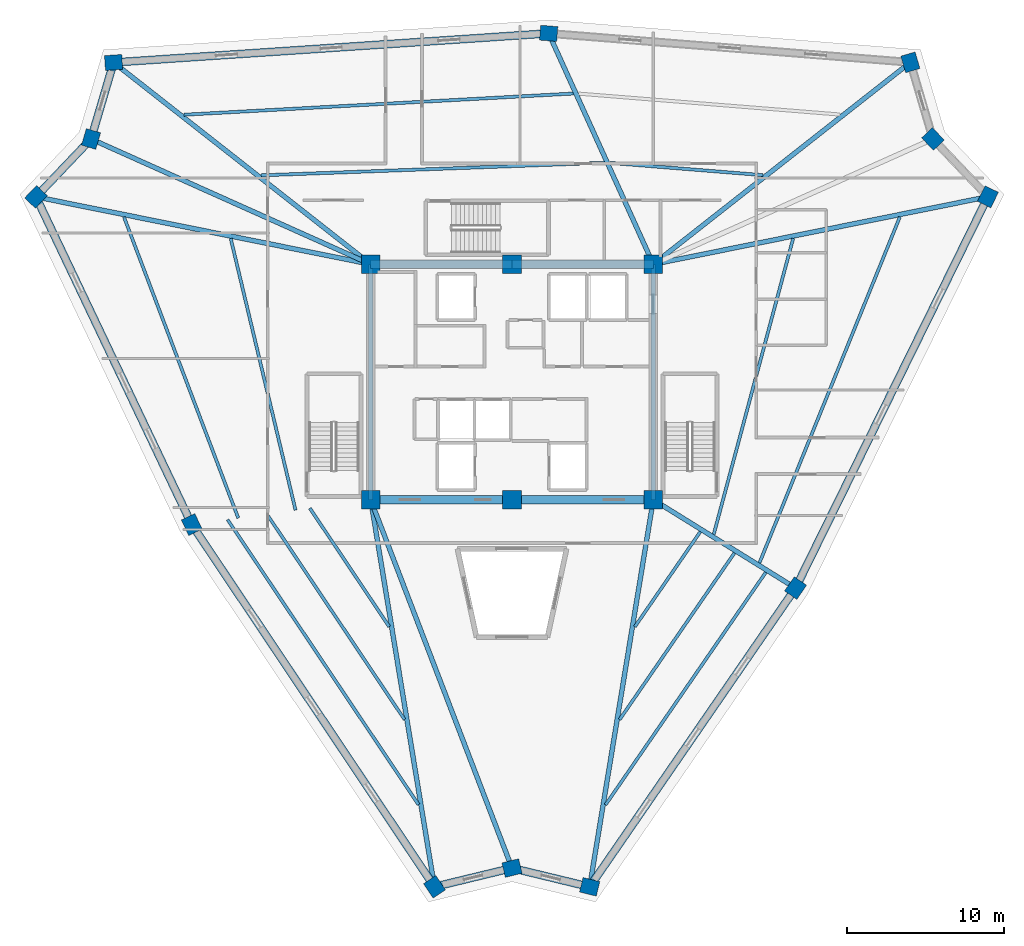
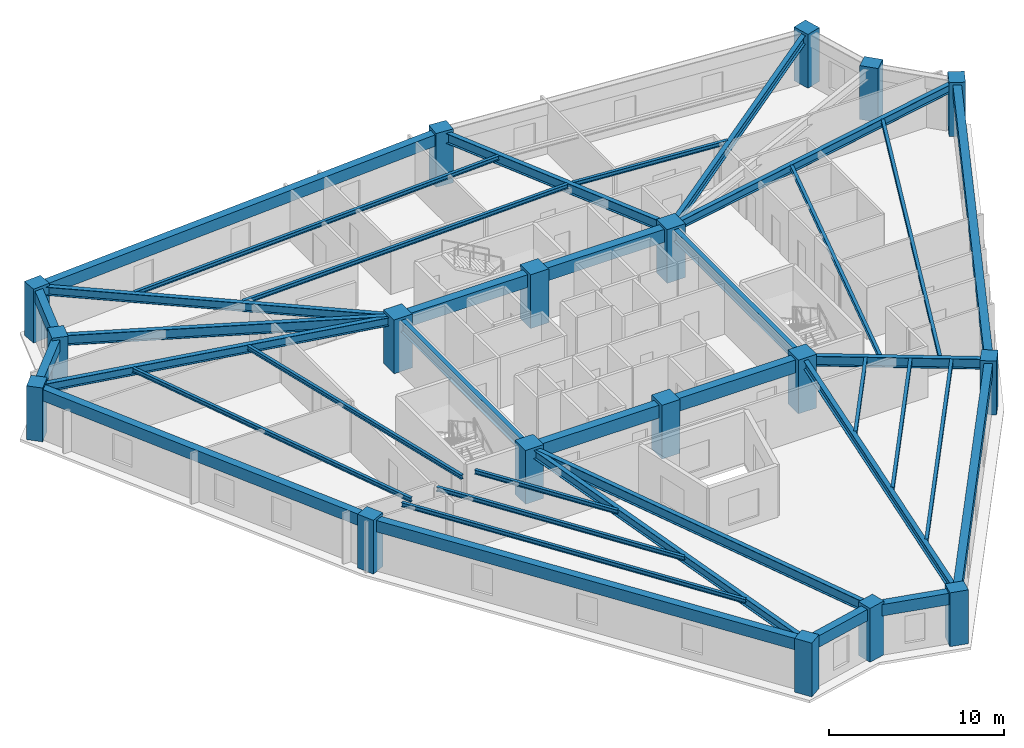
# One storey, part 1 of 8: 38 beams, 18 columns.
"""IFC4 building model written with IfcOpenShell, lengths in metres."""

from ifc_helpers import new_model, si_unit, direction, frame, origin, origin_2d, place, context, subcontext, project, spatial, rectangle, i_section, extrude, source, transform, mapped, material, material_profile, profile_set, type_object, element, save


model = new_model("IFC4")

# Units and contexts
model_context = context("Model", 3, precision=1e-05, world=origin(), true_north=direction((0.0, 1.0)))
body_context = subcontext(model_context, "Body", "Model", "MODEL_VIEW")
ifc_project = project(units=[si_unit("LENGTHUNIT", "METRE"), si_unit("AREAUNIT", "SQUARE_METRE"), si_unit("VOLUMEUNIT", "CUBIC_METRE"), si_unit("PLANEANGLEUNIT", "RADIAN"), si_unit("MASSUNIT", "GRAM", prefix="KILO")], contexts=[model_context])

# Site, building, storey
site_placement = place(None, origin())
site = spatial("IfcSite", under=ifc_project, at=site_placement, CompositionType="ELEMENT")
building_placement = place(site_placement, origin())
building = spatial("IfcBuilding", under=site, at=building_placement, Name="Liaohun Quay Tower", CompositionType="ELEMENT")
storey_placement = place(building_placement, frame((0.0, 0.0, 297.75)))
storey = spatial("IfcBuildingStorey", under=building, at=storey_placement, Name="L77", CompositionType="ELEMENT", Elevation=297.75)

# Columns
ifc_material_1 = material(Name="Concrete C50", Category="concrete")
ifc_material_profile_1 = material_profile(ifc_material_1, rectangle(XDim=1.199951171875, YDim=1.199951171875, at=origin_2d()), Name="RC1200x1200")
ifc_profile_set_1 = profile_set([ifc_material_profile_1], Name="Concrete C50")
column_type_1 = type_object("IfcColumnType", Name="COL-CC-Z4", PredefinedType="COLUMN", material=ifc_profile_set_1)
shared_shape_1 = source(origin(), body_context, "Body", "SweptSolid", [
    extrude(rectangle(XDim=1.199951171875, YDim=1.199951171875, at=origin_2d()), origin(), (0.0, 0.0, 1.0), 3.75),
])
for number, where, z_axis, x_axis, name in (
    (1, (51.0, 46.5, 0.0), (0.0, 0.0, 1.0), (1.0, 0.0, 0.0), "L77 Core Column CC1"),
    (2, (60.0, 46.5, 0.0), (0.0, 0.0, 1.0), (1.0, 0.0, 0.0), "L77 Core Column CC2"),
    (3, (69.0, 46.5, 0.0), (0.0, 0.0, 1.0), (1.0, 0.0, 0.0), "L77 Core Column CC3"),
    (4, (69.0, 61.5, 0.0), (0.0, 0.0, 1.0), (1.0, 0.0, 0.0), "L77 Core Column CC4"),
    (5, (60.0, 61.5, 0.0), (0.0, 0.0, 1.0), (1.0, 0.0, 0.0), "L77 Core Column CC5"),
    (6, (51.0, 61.5, 0.0), (0.0, 0.0, 1.0), (1.0, 0.0, 0.0), "L77 Core Column CC6"),
):
    element("IfcColumn", number, at=place(storey_placement, frame(where, z_axis=z_axis, x_axis=x_axis)), inside=storey, type_object=column_type_1, Name=name, PredefinedType="COLUMN", context=body_context, shape_type="MappedRepresentation", body=[
        mapped(shared_shape_1, transform((0.0, 0.0, 0.0), x_axis=(1.0, 0.0, 0.0), y_axis=(0.0, 1.0, 0.0), z_axis=(0.0, 0.0, 1.0), scale=1.0)),
    ])
ifc_material_profile_2 = material_profile(ifc_material_1, rectangle(XDim=1.10009765625, YDim=0.949951171875, at=origin_2d()), Name="RC1100x950")
ifc_profile_set_2 = profile_set([ifc_material_profile_2], Name="Concrete C50")
column_type_2 = type_object("IfcColumnType", Name="COL-PIER-Z4", PredefinedType="COLUMN", material=ifc_profile_set_2)
shared_shape_2 = source(origin(), body_context, "Body", "SweptSolid", [
    extrude(rectangle(XDim=1.10009765625, YDim=0.949951171875, at=origin_2d()), origin(), (0.0, 0.0, 1.0), 3.75),
])
for number, where, z_axis, x_axis, name in (
    (7, (55.06103515625, 21.846923828125, 0.0), (0.0, 0.0, 1.0), (-0.556585649903, 0.83079023485, 0.0), "L77 Perimeter Pier PC01"),
    (8, (39.60205078125, 44.9208984375, 0.0), (0.0, 0.0, 1.0), (-0.429250430767, 0.903185511225, 0.0), "L77 Perimeter Pier PC02"),
    (9, (29.679931640625, 65.79296875, 0.0), (0.0, 0.0, 1.0), (0.68936671806, 0.724412539946, 0.0), "L77 Perimeter Pier PC03"),
    (10, (33.18798828125, 69.47998046875, 0.0), (0.0, 0.0, 1.0), (0.282508884416, 0.959264682049, 0.0), "L77 Perimeter Pier PC04"),
    (11, (34.6240234375, 74.35302734375, 0.0), (0.0, 0.0, 1.0), (0.997778273548, 0.066622194773, 0.0), "L77 Perimeter Pier PC05"),
    (12, (62.3359375, 76.2060546875, 0.0), (0.0, 0.0, 1.0), (-0.996806812434, 0.079850977983, 0.0), "L77 Perimeter Pier PC06"),
    (13, (85.3740234375, 74.361083984375, 0.0), (0.0, 0.0, 1.0), (-0.282508884416, 0.959264682049, 0.0), "L77 Perimeter Pier PC07"),
    (14, (86.81201171875, 69.47998046875, 0.0), (0.0, 0.0, 1.0), (-0.68936671806, 0.724412539946, 0.0), "L77 Perimeter Pier PC08"),
    (15, (90.31396484375, 65.799072265625, 0.0), (0.0, 0.0, 1.0), (0.441192623644, 0.897412429623, 0.0), "L77 Perimeter Pier PC09"),
    (16, (78.06201171875, 40.8740234375, 0.0), (0.0, 0.0, 1.0), (0.567556381667, 0.823334533242, 0.0), "L77 Perimeter Pier PC10"),
    (17, (64.947021484375, 21.844970703125, 0.0), (0.0, 0.0, 1.0), (-0.972043021443, 0.234802820391, 0.0), "L77 Perimeter Pier PC11"),
    (18, (60.0, 23.0400390625, 0.0), (0.0, 0.0, 1.0), (0.972043021443, 0.234802820391, 0.0), "L77 Perimeter Pier PC12"),
):
    element("IfcColumn", number, at=place(storey_placement, frame(where, z_axis=z_axis, x_axis=x_axis)), inside=storey, type_object=column_type_2, Name=name, PredefinedType="COLUMN", context=body_context, shape_type="MappedRepresentation", body=[
        mapped(shared_shape_2, transform((0.0, 0.0, 0.0), x_axis=(1.0, 0.0, 0.0), y_axis=(0.0, 1.0, 0.0), z_axis=(0.0, 0.0, 1.0), scale=1.0)),
    ])

# Beams
ifc_material_2 = material(Name="Steel Q355D", Category="steel")
ifc_material_profile_3 = material_profile(ifc_material_2, i_section(OverallWidth=0.300048828125, OverallDepth=0.800048828125, WebThickness=0.013916015625, FlangeThickness=0.02587890625, at=origin_2d()), Name="HN800x300x14x26")
ifc_profile_set_3 = profile_set([ifc_material_profile_3], Name="Steel Q355D")
beam_type_1 = type_object("IfcBeamType", Name="BM-RAD-M1", PredefinedType="BEAM", material=ifc_profile_set_3)
shared_shape_3 = source(origin(), body_context, "Body", "SweptSolid", [
    extrude(i_section(OverallWidth=0.300048828125, OverallDepth=0.800048828125, WebThickness=0.013916015625, FlangeThickness=0.02587890625, at=origin_2d()), origin(), (0.0, 0.0, 1.0), 15.0),
])
for number, where, z_axis, x_axis, name in (
    (19, (69.0, 46.5, 3.169921875), (0.0, 1.0, 0.0), (-1.0, 0.0, 0.0), "L77 Core Coupling/Ring Beam CC3-CC4"),
    (20, (51.0, 61.5, 3.169921875), (0.0, -1.0, 0.0), (1.0, 0.0, 0.0), "L77 Core Coupling/Ring Beam CC6-CC1"),
):
    element("IfcBeam", number, at=place(storey_placement, frame(where, z_axis=z_axis, x_axis=x_axis)), inside=storey, type_object=beam_type_1, Name=name, PredefinedType="BEAM", context=body_context, shape_type="MappedRepresentation", body=[
        mapped(shared_shape_3, transform((0.0, 0.0, 0.0), x_axis=(1.0, 0.0, 0.0), y_axis=(0.0, 1.0, 0.0), z_axis=(0.0, 0.0, 1.0), scale=1.0)),
    ])
ifc_material_3 = material(Name="Concrete C55", Category="concrete")
ifc_material_profile_4 = material_profile(ifc_material_3, rectangle(XDim=0.550048828125, YDim=0.89990234375, at=origin_2d()), Name="RC550x900")
ifc_profile_set_4 = profile_set([ifc_material_profile_4], Name="Concrete C55")
beam_type_2 = type_object("IfcBeamType", Name="BM-CPL-2", PredefinedType="LINTEL", material=ifc_profile_set_4)
shared_shape_4 = source(origin(), body_context, "Body", "SweptSolid", [
    extrude(rectangle(XDim=0.550048828125, YDim=0.89990234375, at=origin_2d()), origin(), (0.0, 0.0, 1.0), 9.0),
])
for number, where, z_axis, x_axis, name in (
    (21, (51.0, 46.5, 3.1201171875), (1.0, 0.0, 0.0), (0.0, 1.0, 0.0), "L77 Core Coupling/Ring Beam CC1-CC2"),
    (22, (60.0, 46.5, 3.1201171875), (1.0, 0.0, 0.0), (0.0, 1.0, 0.0), "L77 Core Coupling/Ring Beam CC2-CC3"),
    (23, (69.0, 61.5, 3.1201171875), (-1.0, 0.0, 0.0), (0.0, -1.0, 0.0), "L77 Core Coupling/Ring Beam CC4-CC5"),
    (24, (60.0, 61.5, 3.1201171875), (-1.0, 0.0, 0.0), (0.0, -1.0, 0.0), "L77 Core Coupling/Ring Beam CC5-CC6"),
):
    element("IfcBeam", number, at=place(storey_placement, frame(where, z_axis=z_axis, x_axis=x_axis)), inside=storey, type_object=beam_type_2, Name=name, PredefinedType="LINTEL", context=body_context, shape_type="MappedRepresentation", body=[
        mapped(shared_shape_4, transform((0.0, 0.0, 0.0), x_axis=(1.0, 0.0, 0.0), y_axis=(0.0, 1.0, 0.0), z_axis=(0.0, 0.0, 1.0), scale=1.0)),
    ])
ifc_material_profile_5 = material_profile(ifc_material_2, i_section(OverallWidth=0.300048828125, OverallDepth=0.587890625, WebThickness=0.011962890625, FlangeThickness=0.02001953125, at=origin_2d()), Name="HM588x300x12x20")
ifc_profile_set_5 = profile_set([ifc_material_profile_5], Name="Steel Q355D")
beam_type_3 = type_object("IfcBeamType", Name="BM-RAD-U2", PredefinedType="BEAM", material=ifc_profile_set_5)
shared_shape_5 = source(origin(), body_context, "Body", "SweptSolid", [
    extrude(i_section(OverallWidth=0.300048828125, OverallDepth=0.587890625, WebThickness=0.011962890625, FlangeThickness=0.02001953125, at=origin_2d()), origin(), (0.0, 0.0, 1.0), 24.9853515625),
])
beam_1_placement = place(storey_placement, frame((51.0, 46.5, 3.27587890625), z_axis=(0.162536853645, -0.986702473498, 0.0), x_axis=(0.986702473498, 0.162536853645, 0.0)))
element("IfcBeam", 25, at=beam_1_placement, inside=storey, type_object=beam_type_3, Name="L77 Radial Primary Girder CC1-PC01", PredefinedType="BEAM", context=body_context, shape_type="MappedRepresentation", body=[
    mapped(shared_shape_5, transform((0.0, 0.0, 0.0), x_axis=(1.0, 0.0, 0.0), y_axis=(0.0, 1.0, 0.0), z_axis=(0.0, 0.0, 1.0), scale=1.0)),
])
shared_shape_6 = source(origin(), body_context, "Body", "SweptSolid", [
    extrude(i_section(OverallWidth=0.300048828125, OverallDepth=0.587890625, WebThickness=0.011962890625, FlangeThickness=0.02001953125, at=origin_2d()), origin(), (0.0, 0.0, 1.0), 21.748046875),
])
beam_2_placement = place(storey_placement, frame((51.0, 61.5, 3.27587890625), z_axis=(-0.98032380325, 0.197396151893, 0.0), x_axis=(-0.197396151893, -0.98032380325, 0.0)))
element("IfcBeam", 26, at=beam_2_placement, inside=storey, type_object=beam_type_3, Name="L77 Radial Primary Girder CC6-PC03", PredefinedType="BEAM", context=body_context, shape_type="MappedRepresentation", body=[
    mapped(shared_shape_6, transform((0.0, 0.0, 0.0), x_axis=(1.0, 0.0, 0.0), y_axis=(0.0, 1.0, 0.0), z_axis=(0.0, 0.0, 1.0), scale=1.0)),
])
ifc_material_profile_6 = material_profile(ifc_material_2, i_section(OverallWidth=0.300048828125, OverallDepth=0.699951171875, WebThickness=0.012939453125, FlangeThickness=0.02392578125, at=origin_2d()), Name="HN700x300x13x24")
ifc_profile_set_6 = profile_set([ifc_material_profile_6], Name="Steel Q355D")
beam_type_4 = type_object("IfcBeamType", Name="BM-RAD-U1", PredefinedType="BEAM", material=ifc_profile_set_6)
shared_shape_7 = source(origin(), body_context, "Body", "SweptSolid", [
    extrude(i_section(OverallWidth=0.300048828125, OverallDepth=0.699951171875, WebThickness=0.012939453125, FlangeThickness=0.02392578125, at=origin_2d()), origin(), (0.0, 0.0, 1.0), 19.517822265625),
])
beam_3_placement = place(storey_placement, frame((51.0, 61.5, 3.219970703125), z_axis=(-0.912599463054, 0.408854766432, 0.0), x_axis=(-0.408854766432, -0.912599463054, 0.0)))
element("IfcBeam", 27, at=beam_3_placement, inside=storey, type_object=beam_type_4, Name="L77 Radial Primary Girder CC6-PC04", PredefinedType="BEAM", context=body_context, shape_type="MappedRepresentation", body=[
    mapped(shared_shape_7, transform((0.0, 0.0, 0.0), x_axis=(1.0, 0.0, 0.0), y_axis=(0.0, 1.0, 0.0), z_axis=(0.0, 0.0, 1.0), scale=1.0)),
])
shared_shape_8 = source(origin(), body_context, "Body", "SweptSolid", [
    extrude(i_section(OverallWidth=0.300048828125, OverallDepth=0.587890625, WebThickness=0.011962890625, FlangeThickness=0.02001953125, at=origin_2d()), origin(), (0.0, 0.0, 1.0), 20.817626953125),
])
beam_4_placement = place(storey_placement, frame((51.0, 61.5, 3.27587890625), z_axis=(-0.786640537364, 0.61741126081, 0.0), x_axis=(-0.61741126081, -0.786640537364, 0.0)))
element("IfcBeam", 28, at=beam_4_placement, inside=storey, type_object=beam_type_3, Name="L77 Radial Primary Girder CC6-PC05", PredefinedType="BEAM", context=body_context, shape_type="MappedRepresentation", body=[
    mapped(shared_shape_8, transform((0.0, 0.0, 0.0), x_axis=(1.0, 0.0, 0.0), y_axis=(0.0, 1.0, 0.0), z_axis=(0.0, 0.0, 1.0), scale=1.0)),
])
shared_shape_9 = source(origin(), body_context, "Body", "SweptSolid", [
    extrude(i_section(OverallWidth=0.300048828125, OverallDepth=0.699951171875, WebThickness=0.012939453125, FlangeThickness=0.02392578125, at=origin_2d()), origin(), (0.0, 0.0, 1.0), 16.1455078125),
])
beam_5_placement = place(storey_placement, frame((69.0, 61.5, 3.219970703125), z_axis=(-0.412749979217, 0.910844363575, 0.0), x_axis=(-0.910844363575, -0.412749979217, 0.0)))
element("IfcBeam", 29, at=beam_5_placement, inside=storey, type_object=beam_type_4, Name="L77 Radial Primary Girder CC4-PC06", PredefinedType="BEAM", context=body_context, shape_type="MappedRepresentation", body=[
    mapped(shared_shape_9, transform((0.0, 0.0, 0.0), x_axis=(1.0, 0.0, 0.0), y_axis=(0.0, 1.0, 0.0), z_axis=(0.0, 0.0, 1.0), scale=1.0)),
])
shared_shape_10 = source(origin(), body_context, "Body", "SweptSolid", [
    extrude(i_section(OverallWidth=0.300048828125, OverallDepth=0.587890625, WebThickness=0.011962890625, FlangeThickness=0.02001953125, at=origin_2d()), origin(), (0.0, 0.0, 1.0), 20.821044921875),
])
beam_6_placement = place(storey_placement, frame((69.0, 61.5, 3.27587890625), z_axis=(0.786416794817, 0.617696223746, 0.0), x_axis=(-0.617696223746, 0.786416794817, 0.0)))
element("IfcBeam", 30, at=beam_6_placement, inside=storey, type_object=beam_type_3, Name="L77 Radial Primary Girder CC4-PC07", PredefinedType="BEAM", context=body_context, shape_type="MappedRepresentation", body=[
    mapped(shared_shape_10, transform((0.0, 0.0, 0.0), x_axis=(1.0, 0.0, 0.0), y_axis=(0.0, 1.0, 0.0), z_axis=(0.0, 0.0, 1.0), scale=1.0)),
])
shared_shape_11 = source(origin(), body_context, "Body", "SweptSolid", [
    extrude(i_section(OverallWidth=0.300048828125, OverallDepth=0.587890625, WebThickness=0.011962890625, FlangeThickness=0.02001953125, at=origin_2d()), origin(), (0.0, 0.0, 1.0), 21.7431640625),
])
beam_7_placement = place(storey_placement, frame((69.0, 61.5, 3.27587890625), z_axis=(0.980258491169, 0.197720232881, 0.0), x_axis=(-0.197720232881, 0.980258491169, 0.0)))
element("IfcBeam", 31, at=beam_7_placement, inside=storey, type_object=beam_type_3, Name="L77 Radial Primary Girder CC4-PC09", PredefinedType="BEAM", context=body_context, shape_type="MappedRepresentation", body=[
    mapped(shared_shape_11, transform((0.0, 0.0, 0.0), x_axis=(1.0, 0.0, 0.0), y_axis=(0.0, 1.0, 0.0), z_axis=(0.0, 0.0, 1.0), scale=1.0)),
])
shared_shape_12 = source(origin(), body_context, "Body", "SweptSolid", [
    extrude(i_section(OverallWidth=0.300048828125, OverallDepth=0.699951171875, WebThickness=0.012939453125, FlangeThickness=0.02392578125, at=origin_2d()), origin(), (0.0, 0.0, 1.0), 10.666259765625),
])
beam_8_placement = place(storey_placement, frame((69.0, 46.5, 3.219970703125), z_axis=(0.849586407491, -0.527449463178, 0.0), x_axis=(0.527449463178, 0.849586407491, 0.0)))
element("IfcBeam", 32, at=beam_8_placement, inside=storey, type_object=beam_type_4, Name="L77 Radial Primary Girder CC3-PC10", PredefinedType="BEAM", context=body_context, shape_type="MappedRepresentation", body=[
    mapped(shared_shape_12, transform((0.0, 0.0, 0.0), x_axis=(1.0, 0.0, 0.0), y_axis=(0.0, 1.0, 0.0), z_axis=(0.0, 0.0, 1.0), scale=1.0)),
])
shared_shape_13 = source(origin(), body_context, "Body", "SweptSolid", [
    extrude(i_section(OverallWidth=0.300048828125, OverallDepth=0.587890625, WebThickness=0.011962890625, FlangeThickness=0.02001953125, at=origin_2d()), origin(), (0.0, 0.0, 1.0), 24.98583984375),
])
beam_9_placement = place(storey_placement, frame((69.0, 46.5, 3.27587890625), z_axis=(-0.162210379845, -0.986756197179, 0.0), x_axis=(0.986756197179, -0.162210379845, 0.0)))
element("IfcBeam", 33, at=beam_9_placement, inside=storey, type_object=beam_type_3, Name="L77 Radial Primary Girder CC3-PC11", PredefinedType="BEAM", context=body_context, shape_type="MappedRepresentation", body=[
    mapped(shared_shape_13, transform((0.0, 0.0, 0.0), x_axis=(1.0, 0.0, 0.0), y_axis=(0.0, 1.0, 0.0), z_axis=(0.0, 0.0, 1.0), scale=1.0)),
])
shared_shape_14 = source(origin(), body_context, "Body", "SweptSolid", [
    extrude(i_section(OverallWidth=0.300048828125, OverallDepth=0.699951171875, WebThickness=0.012939453125, FlangeThickness=0.02392578125, at=origin_2d()), origin(), (0.0, 0.0, 1.0), 25.126953125),
])
beam_10_placement = place(storey_placement, frame((51.0, 46.5, 3.219970703125), z_axis=(0.358179411361, -0.933652777684, 0.0), x_axis=(0.933652777684, 0.358179411361, 0.0)))
element("IfcBeam", 34, at=beam_10_placement, inside=storey, type_object=beam_type_4, Name="L77 Radial Primary Girder CC1-PC12", PredefinedType="BEAM", context=body_context, shape_type="MappedRepresentation", body=[
    mapped(shared_shape_14, transform((0.0, 0.0, 0.0), x_axis=(1.0, 0.0, 0.0), y_axis=(0.0, 1.0, 0.0), z_axis=(0.0, 0.0, 1.0), scale=1.0)),
])
ifc_material_profile_7 = material_profile(ifc_material_2, i_section(OverallWidth=0.199951171875, OverallDepth=0.2939453125, WebThickness=0.008056640625, FlangeThickness=0.011962890625, at=origin_2d()), Name="HM294x200x8x12")
ifc_profile_set_7 = profile_set([ifc_material_profile_7], Name="Steel Q355D")
beam_type_5 = type_object("IfcBeamType", Name="BM-SEC-J4", PredefinedType="JOIST", material=ifc_profile_set_7)
shared_shape_15 = source(origin(), body_context, "Body", "SweptSolid", [
    extrude(i_section(OverallWidth=0.199951171875, OverallDepth=0.2939453125, WebThickness=0.008056640625, FlangeThickness=0.011962890625, at=origin_2d()), origin(), (0.0, 0.0, 1.0), 9.080322265625),
])
beam_11_placement = place(storey_placement, frame((52.178955078125, 38.4189453125, 3.423095703125), z_axis=(-0.556578771614, 0.8307948429, 0.0), x_axis=(-0.8307948429, -0.556578771614, 0.0)))
element("IfcBeam", 35, at=beam_11_placement, inside=storey, type_object=beam_type_5, Name="L77 Wing Secondary Floor Joist SJ-01", PredefinedType="JOIST", context=body_context, shape_type="MappedRepresentation", body=[
    mapped(shared_shape_15, transform((0.0, 0.0, 0.0), x_axis=(1.0, 0.0, 0.0), y_axis=(0.0, 1.0, 0.0), z_axis=(0.0, 0.0, 1.0), scale=1.0)),
])
shared_shape_16 = source(origin(), body_context, "Body", "SweptSolid", [
    extrude(i_section(OverallWidth=0.199951171875, OverallDepth=0.2939453125, WebThickness=0.008056640625, FlangeThickness=0.011962890625, at=origin_2d()), origin(), (0.0, 0.0, 1.0), 15.7470703125),
])
beam_12_placement = place(storey_placement, frame((53.154052734375, 32.501953125, 3.423095703125), z_axis=(-0.556623589585, 0.830764816008, 0.0), x_axis=(-0.830764816008, -0.556623589585, 0.0)))
element("IfcBeam", 36, at=beam_12_placement, inside=storey, type_object=beam_type_5, Name="L77 Wing Secondary Floor Joist SJ-02", PredefinedType="JOIST", context=body_context, shape_type="MappedRepresentation", body=[
    mapped(shared_shape_16, transform((0.0, 0.0, 0.0), x_axis=(1.0, 0.0, 0.0), y_axis=(0.0, 1.0, 0.0), z_axis=(0.0, 0.0, 1.0), scale=1.0)),
])
shared_shape_17 = source(origin(), body_context, "Body", "SweptSolid", [
    extrude(i_section(OverallWidth=0.199951171875, OverallDepth=0.2939453125, WebThickness=0.008056640625, FlangeThickness=0.011962890625, at=origin_2d()), origin(), (0.0, 0.0, 1.0), 21.857421875),
])
beam_13_placement = place(storey_placement, frame((54.047119140625, 27.077880859375, 3.423095703125), z_axis=(-0.556565004096, 0.83080406608, 0.0), x_axis=(-0.83080406608, -0.556565004096, 0.0)))
element("IfcBeam", 37, at=beam_13_placement, inside=storey, type_object=beam_type_5, Name="L77 Wing Secondary Floor Joist SJ-03", PredefinedType="JOIST", context=body_context, shape_type="MappedRepresentation", body=[
    mapped(shared_shape_17, transform((0.0, 0.0, 0.0), x_axis=(1.0, 0.0, 0.0), y_axis=(0.0, 1.0, 0.0), z_axis=(0.0, 0.0, 1.0), scale=1.0)),
])
shared_shape_18 = source(origin(), body_context, "Body", "SweptSolid", [
    extrude(i_section(OverallWidth=0.199951171875, OverallDepth=0.2939453125, WebThickness=0.008056640625, FlangeThickness=0.011962890625, at=origin_2d()), origin(), (0.0, 0.0, 1.0), 17.791015625),
])
beam_14_placement = place(storey_placement, frame((46.212890625, 45.8369140625, 3.423095703125), z_axis=(-0.232079360093, 0.97269685443, 0.0), x_axis=(-0.97269685443, -0.232079360093, 0.0)))
element("IfcBeam", 38, at=beam_14_placement, inside=storey, type_object=beam_type_5, Name="L77 Wing Secondary Floor Joist SJ-04", PredefinedType="JOIST", context=body_context, shape_type="MappedRepresentation", body=[
    mapped(shared_shape_18, transform((0.0, 0.0, 0.0), x_axis=(1.0, 0.0, 0.0), y_axis=(0.0, 1.0, 0.0), z_axis=(0.0, 0.0, 1.0), scale=1.0)),
])
shared_shape_19 = source(origin(), body_context, "Body", "SweptSolid", [
    extrude(i_section(OverallWidth=0.199951171875, OverallDepth=0.2939453125, WebThickness=0.008056640625, FlangeThickness=0.011962890625, at=origin_2d()), origin(), (0.0, 0.0, 1.0), 20.513916015625),
])
beam_15_placement = place(storey_placement, frame((42.56494140625, 45.33203125, 3.423095703125), z_axis=(-0.354836482651, 0.934928377246, 0.0), x_axis=(-0.934928377246, -0.354836482651, 0.0)))
element("IfcBeam", 39, at=beam_15_placement, inside=storey, type_object=beam_type_5, Name="L77 Wing Secondary Floor Joist SJ-05", PredefinedType="JOIST", context=body_context, shape_type="MappedRepresentation", body=[
    mapped(shared_shape_19, transform((0.0, 0.0, 0.0), x_axis=(1.0, 0.0, 0.0), y_axis=(0.0, 1.0, 0.0), z_axis=(0.0, 0.0, 1.0), scale=1.0)),
])
shared_shape_20 = source(origin(), body_context, "Body", "SweptSolid", [
    extrude(i_section(OverallWidth=0.199951171875, OverallDepth=0.2939453125, WebThickness=0.008056640625, FlangeThickness=0.011962890625, at=origin_2d()), origin(), (0.0, 0.0, 1.0), 21.8935546875),
])
beam_16_placement = place(storey_placement, frame((44.027099609375, 67.1640625, 3.423095703125), z_axis=(0.999330462326, 0.0365872528, 0.0), x_axis=(-0.0365872528, 0.999330462326, 0.0)))
element("IfcBeam", 40, at=beam_16_placement, inside=storey, type_object=beam_type_5, Name="L77 Wing Secondary Floor Joist SJ-06", PredefinedType="JOIST", context=body_context, shape_type="MappedRepresentation", body=[
    mapped(shared_shape_20, transform((0.0, 0.0, 0.0), x_axis=(1.0, 0.0, 0.0), y_axis=(0.0, 1.0, 0.0), z_axis=(0.0, 0.0, 1.0), scale=1.0)),
])
shared_shape_21 = source(origin(), body_context, "Body", "SweptSolid", [
    extrude(i_section(OverallWidth=0.199951171875, OverallDepth=0.2939453125, WebThickness=0.008056640625, FlangeThickness=0.011962890625, at=origin_2d()), origin(), (0.0, 0.0, 1.0), 24.835693359375),
])
beam_17_placement = place(storey_placement, frame((39.10888671875, 71.02392578125, 3.423095703125), z_axis=(0.998521349901, 0.054360958337, 0.0), x_axis=(-0.054360958337, 0.998521349901, 0.0)))
element("IfcBeam", 41, at=beam_17_placement, inside=storey, type_object=beam_type_5, Name="L77 Wing Secondary Floor Joist SJ-07", PredefinedType="JOIST", context=body_context, shape_type="MappedRepresentation", body=[
    mapped(shared_shape_21, transform((0.0, 0.0, 0.0), x_axis=(1.0, 0.0, 0.0), y_axis=(0.0, 1.0, 0.0), z_axis=(0.0, 0.0, 1.0), scale=1.0)),
])
shared_shape_22 = source(origin(), body_context, "Body", "SweptSolid", [
    extrude(i_section(OverallWidth=0.199951171875, OverallDepth=0.2939453125, WebThickness=0.008056640625, FlangeThickness=0.011962890625, at=origin_2d()), origin(), (0.0, 0.0, 1.0), 9.776123046875),
])
beam_18_placement = place(storey_placement, frame((66.239013671875, 67.95703125, 3.423095703125), z_axis=(0.996803754288, -0.079889144682, 0.0), x_axis=(0.079889144682, 0.996803754288, 0.0)))
element("IfcBeam", 42, at=beam_18_placement, inside=storey, type_object=beam_type_5, Name="L77 Wing Secondary Floor Joist SJ-08", PredefinedType="JOIST", context=body_context, shape_type="MappedRepresentation", body=[
    mapped(shared_shape_22, transform((0.0, 0.0, 0.0), x_axis=(1.0, 0.0, 0.0), y_axis=(0.0, 1.0, 0.0), z_axis=(0.0, 0.0, 1.0), scale=1.0)),
])
shared_shape_23 = source(origin(), body_context, "Body", "SweptSolid", [
    extrude(i_section(OverallWidth=0.199951171875, OverallDepth=0.2939453125, WebThickness=0.008056640625, FlangeThickness=0.011962890625, at=origin_2d()), origin(), (0.0, 0.0, 1.0), 19.5234375),
])
beam_19_placement = place(storey_placement, frame((77.907958984375, 63.14404296875, 3.423095703125), z_axis=(-0.259229854245, -0.96581565667, 0.0), x_axis=(0.96581565667, -0.259229854245, 0.0)))
element("IfcBeam", 43, at=beam_19_placement, inside=storey, type_object=beam_type_5, Name="L77 Wing Secondary Floor Joist SJ-10", PredefinedType="JOIST", context=body_context, shape_type="MappedRepresentation", body=[
    mapped(shared_shape_23, transform((0.0, 0.0, 0.0), x_axis=(1.0, 0.0, 0.0), y_axis=(0.0, 1.0, 0.0), z_axis=(0.0, 0.0, 1.0), scale=1.0)),
])
shared_shape_24 = source(origin(), body_context, "Body", "SweptSolid", [
    extrude(i_section(OverallWidth=0.199951171875, OverallDepth=0.2939453125, WebThickness=0.008056640625, FlangeThickness=0.011962890625, at=origin_2d()), origin(), (0.0, 0.0, 1.0), 23.781982421875),
])
beam_20_placement = place(storey_placement, frame((84.705078125, 64.514892578125, 3.423095703125), z_axis=(-0.376003903903, -0.926618078957, 0.0), x_axis=(0.926618078957, -0.376003903903, 0.0)))
element("IfcBeam", 44, at=beam_20_placement, inside=storey, type_object=beam_type_5, Name="L77 Wing Secondary Floor Joist SJ-11", PredefinedType="JOIST", context=body_context, shape_type="MappedRepresentation", body=[
    mapped(shared_shape_24, transform((0.0, 0.0, 0.0), x_axis=(1.0, 0.0, 0.0), y_axis=(0.0, 1.0, 0.0), z_axis=(0.0, 0.0, 1.0), scale=1.0)),
])
shared_shape_25 = source(origin(), body_context, "Body", "SweptSolid", [
    extrude(i_section(OverallWidth=0.199951171875, OverallDepth=0.2939453125, WebThickness=0.008056640625, FlangeThickness=0.011962890625, at=origin_2d()), origin(), (0.0, 0.0, 1.0), 7.35595703125),
])
beam_21_placement = place(storey_placement, frame((71.99609375, 44.464111328125, 3.423095703125), z_axis=(-0.567432772673, -0.823419728023, 0.0), x_axis=(0.823419728023, -0.567432772673, 0.0)))
element("IfcBeam", 45, at=beam_21_placement, inside=storey, type_object=beam_type_5, Name="L77 Wing Secondary Floor Joist SJ-12", PredefinedType="JOIST", context=body_context, shape_type="MappedRepresentation", body=[
    mapped(shared_shape_25, transform((0.0, 0.0, 0.0), x_axis=(1.0, 0.0, 0.0), y_axis=(0.0, 1.0, 0.0), z_axis=(0.0, 0.0, 1.0), scale=1.0)),
])
shared_shape_26 = source(origin(), body_context, "Body", "SweptSolid", [
    extrude(i_section(OverallWidth=0.199951171875, OverallDepth=0.2939453125, WebThickness=0.008056640625, FlangeThickness=0.011962890625, at=origin_2d()), origin(), (0.0, 0.0, 1.0), 12.90185546875),
])
beam_22_placement = place(storey_placement, frame((74.1708984375, 43.113037109375, 3.423095703125), z_axis=(-0.567498569072, -0.823374382709, 0.0), x_axis=(0.823374382709, -0.567498569072, 0.0)))
element("IfcBeam", 46, at=beam_22_placement, inside=storey, type_object=beam_type_5, Name="L77 Wing Secondary Floor Joist SJ-13", PredefinedType="JOIST", context=body_context, shape_type="MappedRepresentation", body=[
    mapped(shared_shape_26, transform((0.0, 0.0, 0.0), x_axis=(1.0, 0.0, 0.0), y_axis=(0.0, 1.0, 0.0), z_axis=(0.0, 0.0, 1.0), scale=1.0)),
])
shared_shape_27 = source(origin(), body_context, "Body", "SweptSolid", [
    extrude(i_section(OverallWidth=0.199951171875, OverallDepth=0.2939453125, WebThickness=0.008056640625, FlangeThickness=0.011962890625, at=origin_2d()), origin(), (0.0, 0.0, 1.0), 17.98681640625),
])
beam_23_placement = place(storey_placement, frame((76.1640625, 41.8759765625, 3.423095703125), z_axis=(-0.567476641528, -0.823389495512, 0.0), x_axis=(0.823389495512, -0.567476641528, 0.0)))
element("IfcBeam", 47, at=beam_23_placement, inside=storey, type_object=beam_type_5, Name="L77 Wing Secondary Floor Joist SJ-14", PredefinedType="JOIST", context=body_context, shape_type="MappedRepresentation", body=[
    mapped(shared_shape_27, transform((0.0, 0.0, 0.0), x_axis=(1.0, 0.0, 0.0), y_axis=(0.0, 1.0, 0.0), z_axis=(0.0, 0.0, 1.0), scale=1.0)),
])
ifc_material_4 = material(Name="Precast concrete C50", Category="concrete")
ifc_material_profile_8 = material_profile(ifc_material_4, rectangle(XDim=0.5, YDim=0.800048828125, at=origin_2d()), Name="RC500x800")
ifc_profile_set_8 = profile_set([ifc_material_profile_8], Name="Precast concrete C50")
beam_type_6 = type_object("IfcBeamType", Name="BM-SPD-Z4", PredefinedType="SPANDREL", material=ifc_profile_set_8)
shared_shape_28 = source(origin(), body_context, "Body", "SweptSolid", [
    extrude(rectangle(XDim=0.5, YDim=0.800048828125, at=origin_2d()), origin(), (0.0, 0.0, 1.0), 27.77392578125),
])
beam_24_placement = place(storey_placement, frame((55.06103515625, 21.846923828125, 3.169921875), z_axis=(-0.556601506663, 0.830779611438, 0.0), x_axis=(-0.830779611438, -0.556601506663, 0.0)))
element("IfcBeam", 48, at=beam_24_placement, inside=storey, type_object=beam_type_6, Name="L77 Precast Spandrel Beam PC01-PC02", PredefinedType="SPANDREL", context=body_context, shape_type="MappedRepresentation", body=[
    mapped(shared_shape_28, transform((0.0, 0.0, 0.0), x_axis=(1.0, 0.0, 0.0), y_axis=(0.0, 1.0, 0.0), z_axis=(0.0, 0.0, 1.0), scale=1.0)),
])
shared_shape_29 = source(origin(), body_context, "Body", "SweptSolid", [
    extrude(rectangle(XDim=0.5, YDim=0.800048828125, at=origin_2d()), origin(), (0.0, 0.0, 1.0), 23.1103515625),
])
beam_25_placement = place(storey_placement, frame((39.60205078125, 44.9208984375, 3.169921875), z_axis=(-0.429335199183, 0.903145219078, 0.0), x_axis=(-0.903145219078, -0.429335199183, 0.0)))
element("IfcBeam", 49, at=beam_25_placement, inside=storey, type_object=beam_type_6, Name="L77 Precast Spandrel Beam PC02-PC03", PredefinedType="SPANDREL", context=body_context, shape_type="MappedRepresentation", body=[
    mapped(shared_shape_29, transform((0.0, 0.0, 0.0), x_axis=(1.0, 0.0, 0.0), y_axis=(0.0, 1.0, 0.0), z_axis=(0.0, 0.0, 1.0), scale=1.0)),
])
shared_shape_30 = source(origin(), body_context, "Body", "SweptSolid", [
    extrude(rectangle(XDim=0.5, YDim=0.800048828125, at=origin_2d()), origin(), (0.0, 0.0, 1.0), 5.08935546875),
])
for number, where, z_axis, x_axis, name in (
    (50, (29.679931640625, 65.79296875, 3.169921875), (0.689306512784, 0.724469827828, 0.0), (-0.724469827828, 0.689306512784, 0.0), "L77 Precast Spandrel Beam PC03-PC04"),
    (51, (64.947021484375, 21.844970703125, 3.169921875), (-0.972039179917, 0.234818723076, 0.0), (-0.234818723076, -0.972039179917, 0.0), "L77 Precast Spandrel Beam PC11-PC12"),
):
    element("IfcBeam", number, at=place(storey_placement, frame(where, z_axis=z_axis, x_axis=x_axis)), inside=storey, type_object=beam_type_6, Name=name, PredefinedType="SPANDREL", context=body_context, shape_type="MappedRepresentation", body=[
        mapped(shared_shape_30, transform((0.0, 0.0, 0.0), x_axis=(1.0, 0.0, 0.0), y_axis=(0.0, 1.0, 0.0), z_axis=(0.0, 0.0, 1.0), scale=1.0)),
    ])
shared_shape_31 = source(origin(), body_context, "Body", "SweptSolid", [
    extrude(rectangle(XDim=0.5, YDim=0.800048828125, at=origin_2d()), origin(), (0.0, 0.0, 1.0), 5.080322265625),
])
beam_26_placement = place(storey_placement, frame((33.18798828125, 69.47998046875, 3.169921875), z_axis=(0.282671036061, 0.959216912576, 0.0), x_axis=(-0.959216912576, 0.282671036061, 0.0)))
element("IfcBeam", 52, at=beam_26_placement, inside=storey, type_object=beam_type_6, Name="L77 Precast Spandrel Beam PC04-PC05", PredefinedType="SPANDREL", context=body_context, shape_type="MappedRepresentation", body=[
    mapped(shared_shape_31, transform((0.0, 0.0, 0.0), x_axis=(1.0, 0.0, 0.0), y_axis=(0.0, 1.0, 0.0), z_axis=(0.0, 0.0, 1.0), scale=1.0)),
])
shared_shape_32 = source(origin(), body_context, "Body", "SweptSolid", [
    extrude(rectangle(XDim=0.5, YDim=0.800048828125, at=origin_2d()), origin(), (0.0, 0.0, 1.0), 27.773681640625),
])
beam_27_placement = place(storey_placement, frame((34.6240234375, 74.35302734375, 3.169921875), z_axis=(0.997771835738, 0.066718541717, 0.0), x_axis=(-0.066718541717, 0.997771835738, 0.0)))
element("IfcBeam", 53, at=beam_27_placement, inside=storey, type_object=beam_type_6, Name="L77 Precast Spandrel Beam PC05-PC06", PredefinedType="SPANDREL", context=body_context, shape_type="MappedRepresentation", body=[
    mapped(shared_shape_32, transform((0.0, 0.0, 0.0), x_axis=(1.0, 0.0, 0.0), y_axis=(0.0, 1.0, 0.0), z_axis=(0.0, 0.0, 1.0), scale=1.0)),
])
shared_shape_33 = source(origin(), body_context, "Body", "SweptSolid", [
    extrude(rectangle(XDim=0.5, YDim=0.800048828125, at=origin_2d()), origin(), (0.0, 0.0, 1.0), 27.7734375),
])
beam_28_placement = place(storey_placement, frame((90.31396484375, 65.799072265625, 3.169921875), z_axis=(-0.441137929758, -0.897439316572, 0.0), x_axis=(0.897439316572, -0.441137929758, 0.0)))
element("IfcBeam", 54, at=beam_28_placement, inside=storey, type_object=beam_type_6, Name="L77 Precast Spandrel Beam PC09-PC10", PredefinedType="SPANDREL", context=body_context, shape_type="MappedRepresentation", body=[
    mapped(shared_shape_33, transform((0.0, 0.0, 0.0), x_axis=(1.0, 0.0, 0.0), y_axis=(0.0, 1.0, 0.0), z_axis=(0.0, 0.0, 1.0), scale=1.0)),
])
shared_shape_34 = source(origin(), body_context, "Body", "SweptSolid", [
    extrude(rectangle(XDim=0.5, YDim=0.800048828125, at=origin_2d()), origin(), (0.0, 0.0, 1.0), 23.11083984375),
])
beam_29_placement = place(storey_placement, frame((78.06201171875, 40.8740234375, 3.169921875), z_axis=(-0.567483847458, -0.823384529169, 0.0), x_axis=(0.823384529169, -0.567483847458, 0.0)))
element("IfcBeam", 55, at=beam_29_placement, inside=storey, type_object=beam_type_6, Name="L77 Precast Spandrel Beam PC10-PC11", PredefinedType="SPANDREL", context=body_context, shape_type="MappedRepresentation", body=[
    mapped(shared_shape_34, transform((0.0, 0.0, 0.0), x_axis=(1.0, 0.0, 0.0), y_axis=(0.0, 1.0, 0.0), z_axis=(0.0, 0.0, 1.0), scale=1.0)),
])
shared_shape_35 = source(origin(), body_context, "Body", "SweptSolid", [
    extrude(rectangle(XDim=0.5, YDim=0.800048828125, at=origin_2d()), origin(), (0.0, 0.0, 1.0), 5.0810546875),
])
beam_30_placement = place(storey_placement, frame((60.0, 23.0400390625, 3.169921875), z_axis=(-0.972039487889, -0.234817448211, 0.0), x_axis=(0.234817448211, -0.972039487889, 0.0)))
element("IfcBeam", 56, at=beam_30_placement, inside=storey, type_object=beam_type_6, Name="L77 Precast Spandrel Beam PC12-PC01", PredefinedType="SPANDREL", context=body_context, shape_type="MappedRepresentation", body=[
    mapped(shared_shape_35, transform((0.0, 0.0, 0.0), x_axis=(1.0, 0.0, 0.0), y_axis=(0.0, 1.0, 0.0), z_axis=(0.0, 0.0, 1.0), scale=1.0)),
])

save(model, "model.ifc")
